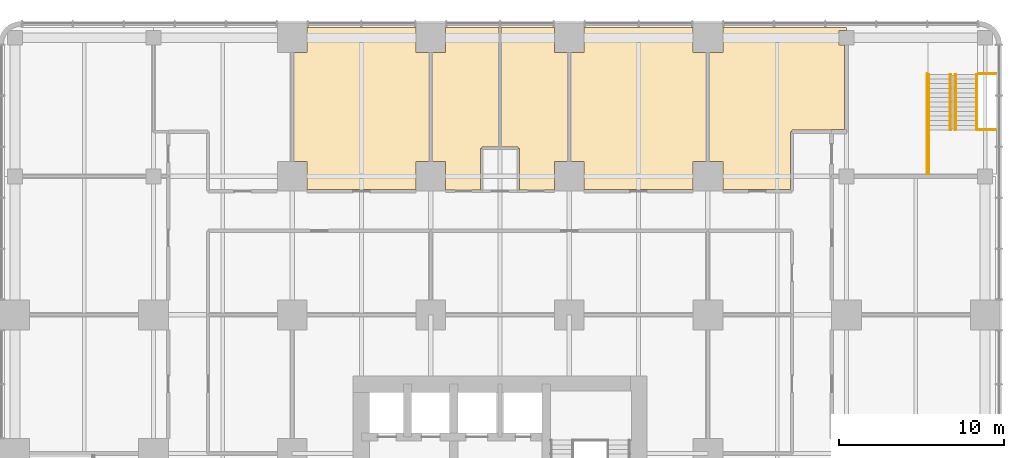
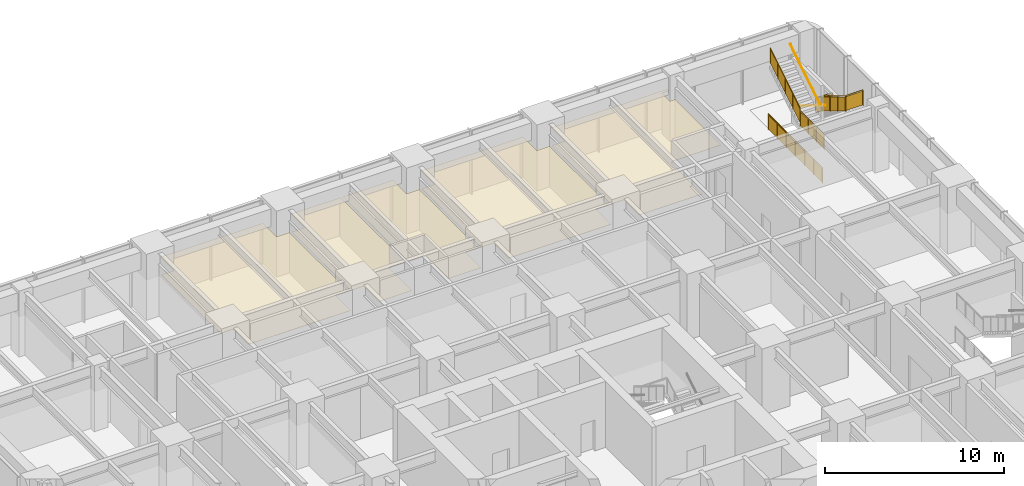
# One storey, part 20 of 20: 8 railings, 5 coverings.
"""IFC4 building model written with IfcOpenShell, lengths in metres."""

from ifc_helpers import new_model, si_unit, direction, frame, origin, origin_2d, place, context, subcontext, project, spatial, polyline, circle, outline, extrude, material, layer, layer_set, type_object, element, save


model = new_model("IFC4")

# Units and contexts
model_context = context("Model", 3, precision=1e-05, world=origin(), true_north=direction((0.0, 1.0)))
body_context = subcontext(model_context, "Body", "Model", "MODEL_VIEW")
ifc_project = project(units=[si_unit("LENGTHUNIT", "METRE"), si_unit("AREAUNIT", "SQUARE_METRE"), si_unit("VOLUMEUNIT", "CUBIC_METRE"), si_unit("PLANEANGLEUNIT", "RADIAN"), si_unit("MASSUNIT", "GRAM", prefix="KILO")], contexts=[model_context])

# Site, building, storey
site_placement = place(None, origin())
site = spatial("IfcSite", under=ifc_project, at=site_placement, CompositionType="ELEMENT")
building_placement = place(site_placement, origin())
building = spatial("IfcBuilding", under=site, at=building_placement, Name="Torre Alcanfor", CompositionType="ELEMENT")
storey_placement = place(building_placement, frame((0.0, 0.0, 10.5)))
storey = spatial("IfcBuildingStorey", under=building, at=storey_placement, Name="L02", CompositionType="ELEMENT", Elevation=10.5)

# Coverings
ifc_material_1 = material(Name="Mineral fibre acoustic tile 20 mm, NRC 0.70, on exposed suspension grid", Category="mineral fibre")
ifc_layer_1 = layer(ifc_material_1, 0.02001953125)
ifc_layer_set_1 = layer_set([ifc_layer_1], Name="Acoustic suspended ceiling 600x600 mineral fibre tile")
covering_type_1 = type_object("IfcCoveringType", Name="Acoustic suspended ceiling 600x600 mineral fibre tile", PredefinedType="CEILING", material=ifc_layer_set_1)
covering_1_placement = place(storey_placement, frame((0.0, 0.0, 2.75)))
element("IfcCovering", 1, at=covering_1_placement, inside=storey, type_object=covering_type_1, Name="Ceiling L02-18", PredefinedType="CEILING", context=body_context, shape_type="SweptSolid", body=[
    extrude(outline(polyline([(16.875, 51.300048828125), (17.699951171875, 51.300048828125), (17.699951171875, 49.60009765625), (24.300048828125, 49.60009765625), (24.300048828125, 51.300048828125), (25.125, 51.300048828125), (25.125, 57.89990234375), (24.300048828125, 57.89990234375), (24.300048828125, 59.425048828125), (17.699951171875, 59.425048828125), (17.699951171875, 57.89990234375), (16.875, 57.89990234375), (16.875, 51.300048828125)])), origin(), (0.0, 0.0, 1.0), 0.02001953125),
])
covering_2_placement = place(storey_placement, frame((0.0, 0.0, 2.75)))
element("IfcCovering", 2, at=covering_2_placement, inside=storey, type_object=covering_type_1, Name="Ceiling L02-19", PredefinedType="CEILING", context=body_context, shape_type="SweptSolid", body=[
    extrude(outline(polyline([(33.675048828125, 51.300048828125), (34.5, 51.300048828125), (34.5, 49.60009765625), (41.10009765625, 49.60009765625), (41.10009765625, 51.300048828125), (41.925048828125, 51.300048828125), (41.925048828125, 57.89990234375), (41.10009765625, 57.89990234375), (41.10009765625, 59.425048828125), (34.5, 59.425048828125), (34.5, 57.89990234375), (33.675048828125, 57.89990234375), (33.675048828125, 51.300048828125)])), origin(), (0.0, 0.0, 1.0), 0.02001953125),
])
covering_3_placement = place(storey_placement, frame((0.0, 0.0, 2.75)))
element("IfcCovering", 3, at=covering_3_placement, inside=storey, type_object=covering_type_1, Name="Ceiling L02-23", PredefinedType="CEILING", context=body_context, shape_type="SweptSolid", body=[
    extrude(outline(polyline([(49.949951171875, 59.25), (50.39990234375, 59.25), (50.39990234375, 59.425048828125), (42.89990234375, 59.425048828125), (42.89990234375, 57.89990234375), (42.074951171875, 57.89990234375), (42.074951171875, 51.300048828125), (42.89990234375, 51.300048828125), (42.89990234375, 49.60009765625), (47.0, 49.60009765625), (47.0, 53.10009765625), (47.10009765625, 53.10009765625), (47.10009765625, 53.199951171875), (49.5, 53.199951171875), (49.5, 53.22509765625), (50.27490234375, 53.22509765625), (50.27490234375, 58.35009765625), (49.949951171875, 58.35009765625), (49.949951171875, 59.25)])), origin(), (0.0, 0.0, 1.0), 0.02001953125),
])
ifc_material_2 = material(Name="Moisture-resistant gypsum plasterboard 12.5 mm on concealed suspension frame", Category="gypsum")
ifc_layer_2 = layer(ifc_material_2, 0.012451171875)
ifc_layer_set_2 = layer_set([ifc_layer_2], Name="Moisture-resistant plasterboard ceiling 12.5")
covering_type_2 = type_object("IfcCoveringType", Name="Moisture-resistant plasterboard ceiling 12.5", PredefinedType="CEILING", material=ifc_layer_set_2)
covering_4_placement = place(storey_placement, frame((0.0, 0.0, 2.75)))
element("IfcCovering", 4, at=covering_4_placement, inside=storey, type_object=covering_type_2, Name="Ceiling L02-WCN1", PredefinedType="CEILING", context=body_context, shape_type="SweptSolid", body=[
    extrude(outline(polyline([(25.27490234375, 51.300048828125), (26.10009765625, 51.300048828125), (26.10009765625, 49.574951171875), (28.22509765625, 49.574951171875), (28.22509765625, 52.10009765625), (28.300048828125, 52.10009765625), (28.300048828125, 52.175048828125), (29.324951171875, 52.175048828125), (29.324951171875, 59.425048828125), (26.10009765625, 59.425048828125), (26.10009765625, 57.89990234375), (25.27490234375, 57.89990234375), (25.27490234375, 51.300048828125)])), origin(), (0.0, 0.0, 1.0), 0.012451171875),
])
covering_5_placement = place(storey_placement, frame((0.0, 0.0, 2.75)))
element("IfcCovering", 5, at=covering_5_placement, inside=storey, type_object=covering_type_2, Name="Ceiling L02-WCN3", PredefinedType="CEILING", context=body_context, shape_type="SweptSolid", body=[
    extrude(outline(polyline([(33.52490234375, 57.89990234375), (32.699951171875, 57.89990234375), (32.699951171875, 59.425048828125), (29.47509765625, 59.425048828125), (29.47509765625, 52.175048828125), (30.5, 52.175048828125), (30.5, 52.10009765625), (30.574951171875, 52.10009765625), (30.574951171875, 49.574951171875), (32.699951171875, 49.574951171875), (32.699951171875, 51.300048828125), (33.52490234375, 51.300048828125), (33.52490234375, 57.89990234375)])), origin(), (0.0, 0.0, 1.0), 0.012451171875),
])

# Railings
ifc_material_3 = material(Name="Steel ASTM A500 Grade C hollow sections", Category="steel")
railing_type_1 = type_object("IfcRailingType", Name="Stair guard and handrail 1100", PredefinedType="GUARDRAIL", material=ifc_material_3)
railing_1_placement = place(storey_placement, frame((55.300048828125, 56.625, 0.0)))
element("IfcRailing", 6, at=railing_1_placement, inside=storey, type_object=railing_type_1, Name="Stair well guard SS4 L02 door side", PredefinedType="GUARDRAIL", context=body_context, shape_type="SweptSolid", body=[
    extrude(circle(Radius=0.02392578125, at=origin_2d()), frame((0.0, 0.0, 1.076171875), z_axis=(0.0, -1.0, 0.0), x_axis=(1.0, 0.0, 0.0)), (0.0, 0.0, 1.0), 6.0849609375),
    extrude(circle(Radius=0.02099609375, at=origin_2d()), origin(), (0.0, 0.0, 1.0), 1.052001953125),
    extrude(circle(Radius=0.02099609375, at=origin_2d()), frame((0.0, -1.01416015625, 0.0)), (0.0, 0.0, 1.0), 1.052001953125),
    extrude(circle(Radius=0.02099609375, at=origin_2d()), frame((0.0, -2.0283203125, 0.0)), (0.0, 0.0, 1.0), 1.052001953125),
    extrude(circle(Radius=0.02099609375, at=origin_2d()), frame((0.0, -3.04248046875, 0.0)), (0.0, 0.0, 1.0), 1.052001953125),
    extrude(circle(Radius=0.02099609375, at=origin_2d()), frame((0.0, -4.056640625, 0.0)), (0.0, 0.0, 1.0), 1.052001953125),
    extrude(circle(Radius=0.02099609375, at=origin_2d()), frame((0.0, -5.07080078125, 0.0)), (0.0, 0.0, 1.0), 1.052001953125),
    extrude(circle(Radius=0.02099609375, at=origin_2d()), frame((0.0, -6.0849609375, 0.0)), (0.0, 0.0, 1.0), 1.052001953125),
    extrude(outline(polyline([(0.041015625, 0.050048828125), (0.97314453125, 0.050048828125), (0.97314453125, 1.001953125), (0.041015625, 1.001953125), (0.041015625, 0.050048828125)])), frame((0.005859375, 0.0, 0.0), z_axis=(-1.0, 0.0, 0.0), x_axis=(0.0, -1.0, 0.0)), (0.0, 0.0, 1.0), 0.011962890625),
    extrude(outline(polyline([(1.05517578125, 0.050048828125), (1.9873046875, 0.050048828125), (1.9873046875, 1.001953125), (1.05517578125, 1.001953125), (1.05517578125, 0.050048828125)])), frame((0.005859375, 0.0, 0.0), z_axis=(-1.0, 0.0, 0.0), x_axis=(0.0, -1.0, 0.0)), (0.0, 0.0, 1.0), 0.011962890625),
    extrude(outline(polyline([(2.0693359375, 0.050048828125), (3.00146484375, 0.050048828125), (3.00146484375, 1.001953125), (2.0693359375, 1.001953125), (2.0693359375, 0.050048828125)])), frame((0.005859375, 0.0, 0.0), z_axis=(-1.0, 0.0, 0.0), x_axis=(0.0, -1.0, 0.0)), (0.0, 0.0, 1.0), 0.011962890625),
    extrude(outline(polyline([(3.08349609375, 0.050048828125), (4.015625, 0.050048828125), (4.015625, 1.001953125), (3.08349609375, 1.001953125), (3.08349609375, 0.050048828125)])), frame((0.005859375, 0.0, 0.0), z_axis=(-1.0, 0.0, 0.0), x_axis=(0.0, -1.0, 0.0)), (0.0, 0.0, 1.0), 0.011962890625),
    extrude(outline(polyline([(4.09765625, 0.050048828125), (5.02978515625, 0.050048828125), (5.02978515625, 1.001953125), (4.09765625, 1.001953125), (4.09765625, 0.050048828125)])), frame((0.005859375, 0.0, 0.0), z_axis=(-1.0, 0.0, 0.0), x_axis=(0.0, -1.0, 0.0)), (0.0, 0.0, 1.0), 0.011962890625),
    extrude(outline(polyline([(5.11181640625, 0.050048828125), (6.0439453125, 0.050048828125), (6.0439453125, 1.001953125), (5.11181640625, 1.001953125), (5.11181640625, 0.050048828125)])), frame((0.005859375, 0.0, 0.0), z_axis=(-1.0, 0.0, 0.0), x_axis=(0.0, -1.0, 0.0)), (0.0, 0.0, 1.0), 0.011962890625),
])
railing_2_placement = place(storey_placement, frame((59.449951171875, 56.625, 0.0)))
element("IfcRailing", 7, at=railing_2_placement, inside=storey, type_object=railing_type_1, Name="Stair well guard SS4 L02 facade strip", PredefinedType="GUARDRAIL", context=body_context, shape_type="SweptSolid", body=[
    extrude(circle(Radius=0.02392578125, at=origin_2d()), frame((0.0, 0.0, 1.076171875), z_axis=(-1.0, 0.0, 0.0), x_axis=(0.0, -1.0, 0.0)), (0.0, 0.0, 1.0), 1.050048828125),
    extrude(circle(Radius=0.02099609375, at=origin_2d()), origin(), (0.0, 0.0, 1.0), 1.052001953125),
    extrude(circle(Radius=0.02099609375, at=origin_2d()), frame((-1.050048828125, 0.0, 0.0)), (0.0, 0.0, 1.0), 1.052001953125),
    extrude(outline(polyline([(0.041015625, 0.050048828125), (1.009033203125, 0.050048828125), (1.009033203125, 1.001953125), (0.041015625, 1.001953125), (0.041015625, 0.050048828125)])), frame((0.0, -0.005859375, 0.0), z_axis=(0.0, 1.0, 0.0), x_axis=(-1.0, 0.0, 0.0)), (0.0, 0.0, 1.0), 0.011962890625),
])
railing_3_placement = place(storey_placement, frame((58.300048828125, 56.574951171875, 0.173095703125)))
element("IfcRailing", 8, at=railing_3_placement, inside=storey, type_object=railing_type_1, Name="Stair guard SS4 L02 flight 1", PredefinedType="GUARDRAIL", context=body_context, shape_type="SweptSolid", body=[
    extrude(circle(Radius=0.02392578125, at=origin_2d()), frame((0.0, 0.0, 1.076171875), z_axis=(0.0, -0.850606129759, 0.525803396734), x_axis=(1.0, 0.0, 0.0)), (0.0, 0.0, 1.0), 3.949951171875),
    extrude(circle(Radius=0.02099609375, at=origin_2d()), origin(), (0.0, 0.0, 1.0), 1.052001953125),
    extrude(circle(Radius=0.02099609375, at=origin_2d()), frame((0.0, -0.83984375, 0.519287109375)), (0.0, 0.0, 1.0), 1.052001953125),
    extrude(circle(Radius=0.02099609375, at=origin_2d()), frame((0.0, -1.679931640625, 1.03857421875)), (0.0, 0.0, 1.0), 1.052001953125),
    extrude(circle(Radius=0.02099609375, at=origin_2d()), frame((0.0, -2.52001953125, 1.5576171875)), (0.0, 0.0, 1.0), 1.052001953125),
    extrude(circle(Radius=0.02099609375, at=origin_2d()), frame((0.0, -3.35986328125, 2.076904296875)), (0.0, 0.0, 1.0), 1.052001953125),
    extrude(outline(polyline([(0.041015625, 0.075439453125), (0.799072265625, 0.5439453125), (0.799072265625, 1.495849609375), (0.041015625, 1.02734375), (0.041015625, 0.075439453125)])), frame((0.005859375, 0.0, 0.0), z_axis=(-1.0, 0.0, 0.0), x_axis=(0.0, -1.0, 0.0)), (0.0, 0.0, 1.0), 0.011962890625),
    extrude(outline(polyline([(0.880859375, 0.594482421875), (1.638916015625, 1.06298828125), (1.638916015625, 2.01513671875), (0.880859375, 1.546630859375), (0.880859375, 0.594482421875)])), frame((0.005859375, 0.0, 0.0), z_axis=(-1.0, 0.0, 0.0), x_axis=(0.0, -1.0, 0.0)), (0.0, 0.0, 1.0), 0.011962890625),
    extrude(outline(polyline([(1.720947265625, 1.11376953125), (2.47900390625, 1.582275390625), (2.47900390625, 2.534423828125), (1.720947265625, 2.06591796875), (1.720947265625, 1.11376953125)])), frame((0.005859375, 0.0, 0.0), z_axis=(-1.0, 0.0, 0.0), x_axis=(0.0, -1.0, 0.0)), (0.0, 0.0, 1.0), 0.011962890625),
    extrude(outline(polyline([(2.560791015625, 1.633056640625), (3.31884765625, 2.1015625), (3.31884765625, 3.053466796875), (2.560791015625, 2.5849609375), (2.560791015625, 1.633056640625)])), frame((0.005859375, 0.0, 0.0), z_axis=(-1.0, 0.0, 0.0), x_axis=(0.0, -1.0, 0.0)), (0.0, 0.0, 1.0), 0.011962890625),
])
railing_4_placement = place(storey_placement, frame((55.39990234375, 53.215087890625, 2.423095703125)))
element("IfcRailing", 9, at=railing_4_placement, inside=storey, type_object=railing_type_1, Name="Stair guard SS4 L02 flight 2", PredefinedType="GUARDRAIL", context=body_context, shape_type="SweptSolid", body=[
    extrude(circle(Radius=0.02392578125, at=origin_2d()), frame((0.0, 0.0, 1.076171875), z_axis=(0.0, 0.850606129759, 0.525803396734), x_axis=(-1.0, 0.0, 0.0)), (0.0, 0.0, 1.0), 3.949951171875),
    extrude(circle(Radius=0.02099609375, at=origin_2d()), origin(), (0.0, 0.0, 1.0), 1.052001953125),
    extrude(circle(Radius=0.02099609375, at=origin_2d()), frame((0.0, 0.83984375, 0.519287109375)), (0.0, 0.0, 1.0), 1.052001953125),
    extrude(circle(Radius=0.02099609375, at=origin_2d()), frame((0.0, 1.679931640625, 1.03857421875)), (0.0, 0.0, 1.0), 1.052001953125),
    extrude(circle(Radius=0.02099609375, at=origin_2d()), frame((0.0, 2.52001953125, 1.5576171875)), (0.0, 0.0, 1.0), 1.052001953125),
    extrude(circle(Radius=0.02099609375, at=origin_2d()), frame((0.0, 3.35986328125, 2.076904296875)), (0.0, 0.0, 1.0), 1.052001953125),
    extrude(outline(polyline([(0.041015625, 0.075439453125), (0.799072265625, 0.5439453125), (0.799072265625, 1.495849609375), (0.041015625, 1.02734375), (0.041015625, 0.075439453125)])), frame((-0.005859375, 0.0, 0.0), z_axis=(1.0, 0.0, 0.0), x_axis=(0.0, 1.0, 0.0)), (0.0, 0.0, 1.0), 0.011962890625),
    extrude(outline(polyline([(0.880859375, 0.594482421875), (1.638916015625, 1.06298828125), (1.638916015625, 2.01513671875), (0.880859375, 1.546630859375), (0.880859375, 0.594482421875)])), frame((-0.005859375, 0.0, 0.0), z_axis=(1.0, 0.0, 0.0), x_axis=(0.0, 1.0, 0.0)), (0.0, 0.0, 1.0), 0.011962890625),
    extrude(outline(polyline([(1.720947265625, 1.11376953125), (2.47900390625, 1.582275390625), (2.47900390625, 2.534423828125), (1.720947265625, 2.06591796875), (1.720947265625, 1.11376953125)])), frame((-0.005859375, 0.0, 0.0), z_axis=(1.0, 0.0, 0.0), x_axis=(0.0, 1.0, 0.0)), (0.0, 0.0, 1.0), 0.011962890625),
    extrude(outline(polyline([(2.560791015625, 1.633056640625), (3.31884765625, 2.1015625), (3.31884765625, 3.053466796875), (2.560791015625, 2.5849609375), (2.560791015625, 1.633056640625)])), frame((-0.005859375, 0.0, 0.0), z_axis=(1.0, 0.0, 0.0), x_axis=(0.0, 1.0, 0.0)), (0.0, 0.0, 1.0), 0.011962890625),
])
railing_5_placement = place(storey_placement, frame((59.449951171875, 53.215087890625, 2.25)))
element("IfcRailing", 10, at=railing_5_placement, inside=storey, type_object=railing_type_1, Name="Stair guard SS4 L02 half landing facade strip", PredefinedType="GUARDRAIL", context=body_context, shape_type="SweptSolid", body=[
    extrude(circle(Radius=0.02392578125, at=origin_2d()), frame((0.0, 0.0, 1.076171875), z_axis=(-1.0, 0.0, 0.0), x_axis=(0.0, -1.0, 0.0)), (0.0, 0.0, 1.0), 1.099853515625),
    extrude(circle(Radius=0.02099609375, at=origin_2d()), origin(), (0.0, 0.0, 1.0), 1.052001953125),
    extrude(circle(Radius=0.02099609375, at=origin_2d()), frame((-1.099853515625, 0.0, 0.0)), (0.0, 0.0, 1.0), 1.052001953125),
    extrude(outline(polyline([(0.041015625, 0.050048828125), (1.058837890625, 0.050048828125), (1.058837890625, 1.001953125), (0.041015625, 1.001953125), (0.041015625, 0.050048828125)])), frame((0.0, -0.005859375, 0.0), z_axis=(0.0, 1.0, 0.0), x_axis=(-1.0, 0.0, 0.0)), (0.0, 0.0, 1.0), 0.011962890625),
])
railing_6_placement = place(storey_placement, frame((55.39990234375, 53.215087890625, 2.25)))
element("IfcRailing", 11, at=railing_6_placement, inside=storey, type_object=railing_type_1, Name="Stair guard SS4 L02 half landing", PredefinedType="GUARDRAIL", context=body_context, shape_type="SweptSolid", body=[
    extrude(circle(Radius=0.02392578125, at=origin_2d()), frame((0.0, 0.0, 1.076171875), z_axis=(0.0, -1.0, 0.0), x_axis=(1.0, 0.0, 0.0)), (0.0, 0.0, 1.0), 2.675048828125),
    extrude(circle(Radius=0.02099609375, at=origin_2d()), origin(), (0.0, 0.0, 1.0), 1.052001953125),
    extrude(circle(Radius=0.02099609375, at=origin_2d()), frame((0.0, -0.8916015625, 0.0)), (0.0, 0.0, 1.0), 1.052001953125),
    extrude(circle(Radius=0.02099609375, at=origin_2d()), frame((0.0, -1.783447265625, 0.0)), (0.0, 0.0, 1.0), 1.052001953125),
    extrude(circle(Radius=0.02099609375, at=origin_2d()), frame((0.0, -2.675048828125, 0.0)), (0.0, 0.0, 1.0), 1.052001953125),
    extrude(outline(polyline([(0.041015625, 0.050048828125), (0.8505859375, 0.050048828125), (0.8505859375, 1.001953125), (0.041015625, 1.001953125), (0.041015625, 0.050048828125)])), frame((0.005859375, 0.0, 0.0), z_axis=(-1.0, 0.0, 0.0), x_axis=(0.0, -1.0, 0.0)), (0.0, 0.0, 1.0), 0.011962890625),
    extrude(outline(polyline([(0.9326171875, 0.050048828125), (1.742431640625, 0.050048828125), (1.742431640625, 1.001953125), (0.9326171875, 1.001953125), (0.9326171875, 0.050048828125)])), frame((0.005859375, 0.0, 0.0), z_axis=(-1.0, 0.0, 0.0), x_axis=(0.0, -1.0, 0.0)), (0.0, 0.0, 1.0), 0.011962890625),
    extrude(outline(polyline([(1.824462890625, 0.050048828125), (2.634033203125, 0.050048828125), (2.634033203125, 1.001953125), (1.824462890625, 1.001953125), (1.824462890625, 0.050048828125)])), frame((0.005859375, 0.0, 0.0), z_axis=(-1.0, 0.0, 0.0), x_axis=(0.0, -1.0, 0.0)), (0.0, 0.0, 1.0), 0.011962890625),
])
ifc_material_4 = material(Name="Steel ASTM A500 Grade C hollow sections", Category="steel")
railing_type_2 = type_object("IfcRailingType", Name="Stair wall handrail 900", PredefinedType="HANDRAIL", material=ifc_material_4)
railing_7_placement = place(storey_placement, frame((57.014892578125, 56.574951171875, 0.173095703125)))
element("IfcRailing", 12, at=railing_7_placement, inside=storey, type_object=railing_type_2, Name="Stair handrail SS4 L02 flight 1", PredefinedType="HANDRAIL", context=body_context, shape_type="SweptSolid", body=[
    extrude(circle(Radius=0.02392578125, at=origin_2d()), frame((0.0, 0.0, 0.8759765625), z_axis=(0.0, -0.850606129759, 0.525803396734), x_axis=(1.0, 0.0, 0.0)), (0.0, 0.0, 1.0), 3.949951171875),
    extrude(circle(Radius=0.008056640625, at=origin_2d()), frame((0.0, 0.0, 0.8759765625), z_axis=(-1.0, 0.0, 0.0), x_axis=(0.0, 0.0, 1.0)), (0.0, 0.0, 1.0), 0.06494140625),
    extrude(circle(Radius=0.008056640625, at=origin_2d()), frame((0.0, -0.83984375, 1.39501953125), z_axis=(-1.0, 0.0, 0.0), x_axis=(0.0, 0.0, 1.0)), (0.0, 0.0, 1.0), 0.06494140625),
    extrude(circle(Radius=0.008056640625, at=origin_2d()), frame((0.0, -1.679931640625, 1.914306640625), z_axis=(-1.0, 0.0, 0.0), x_axis=(0.0, 0.0, 1.0)), (0.0, 0.0, 1.0), 0.06494140625),
    extrude(circle(Radius=0.008056640625, at=origin_2d()), frame((0.0, -2.52001953125, 2.43359375), z_axis=(-1.0, 0.0, 0.0), x_axis=(0.0, 0.0, 1.0)), (0.0, 0.0, 1.0), 0.06494140625),
    extrude(circle(Radius=0.008056640625, at=origin_2d()), frame((0.0, -3.35986328125, 2.95263671875), z_axis=(-1.0, 0.0, 0.0), x_axis=(0.0, 0.0, 1.0)), (0.0, 0.0, 1.0), 0.06494140625),
])
railing_8_placement = place(storey_placement, frame((56.68505859375, 53.215087890625, 2.423095703125)))
element("IfcRailing", 13, at=railing_8_placement, inside=storey, type_object=railing_type_2, Name="Stair handrail SS4 L02 flight 2", PredefinedType="HANDRAIL", context=body_context, shape_type="SweptSolid", body=[
    extrude(circle(Radius=0.02392578125, at=origin_2d()), frame((0.0, 0.0, 0.8759765625), z_axis=(0.0, 0.850606129759, 0.525803396734), x_axis=(-1.0, 0.0, 0.0)), (0.0, 0.0, 1.0), 3.949951171875),
    extrude(circle(Radius=0.008056640625, at=origin_2d()), frame((0.0, 0.0, 0.8759765625), z_axis=(1.0, 0.0, 0.0), x_axis=(0.0, 0.0, 1.0)), (0.0, 0.0, 1.0), 0.06494140625),
    extrude(circle(Radius=0.008056640625, at=origin_2d()), frame((0.0, 0.83984375, 1.39501953125), z_axis=(1.0, 0.0, 0.0), x_axis=(0.0, 0.0, 1.0)), (0.0, 0.0, 1.0), 0.06494140625),
    extrude(circle(Radius=0.008056640625, at=origin_2d()), frame((0.0, 1.679931640625, 1.914306640625), z_axis=(1.0, 0.0, 0.0), x_axis=(0.0, 0.0, 1.0)), (0.0, 0.0, 1.0), 0.06494140625),
    extrude(circle(Radius=0.008056640625, at=origin_2d()), frame((0.0, 2.52001953125, 2.43359375), z_axis=(1.0, 0.0, 0.0), x_axis=(0.0, 0.0, 1.0)), (0.0, 0.0, 1.0), 0.06494140625),
    extrude(circle(Radius=0.008056640625, at=origin_2d()), frame((0.0, 3.35986328125, 2.95263671875), z_axis=(1.0, 0.0, 0.0), x_axis=(0.0, 0.0, 1.0)), (0.0, 0.0, 1.0), 0.06494140625),
])

save(model, "model.ifc")
